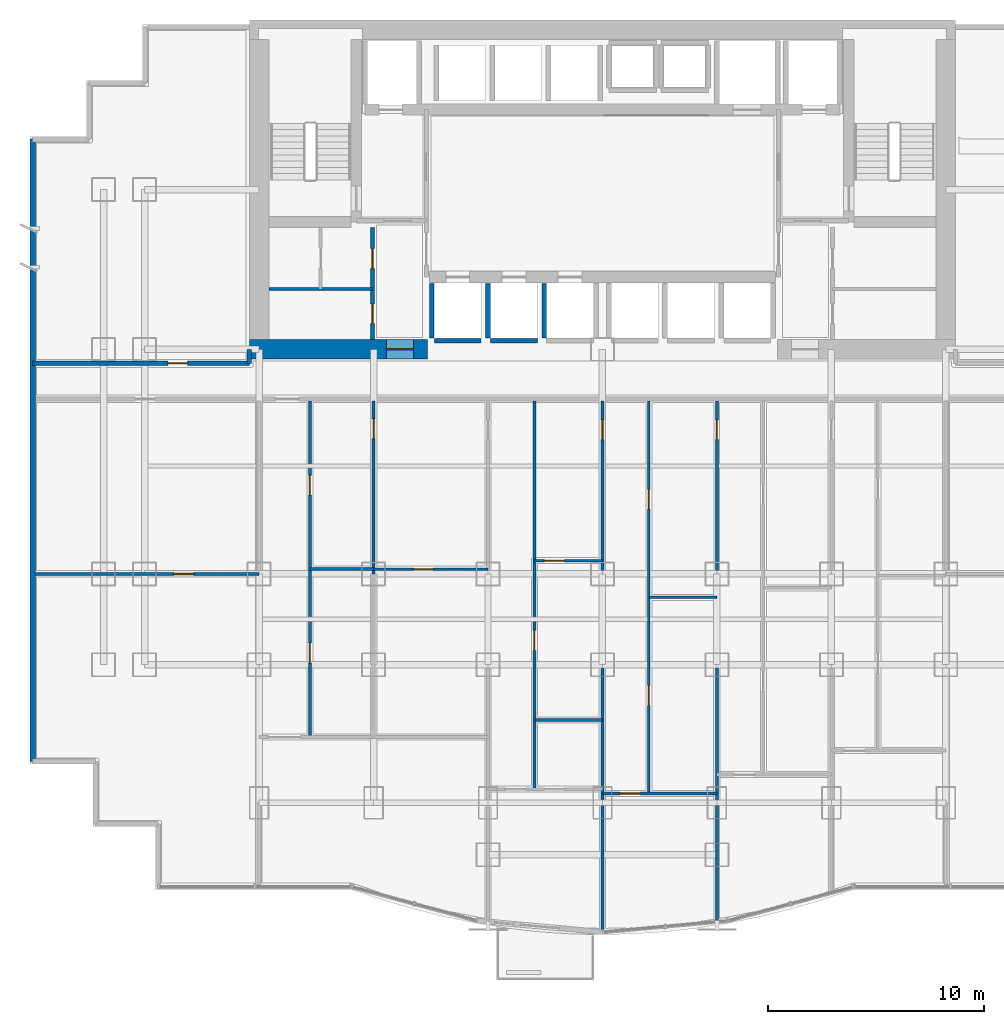
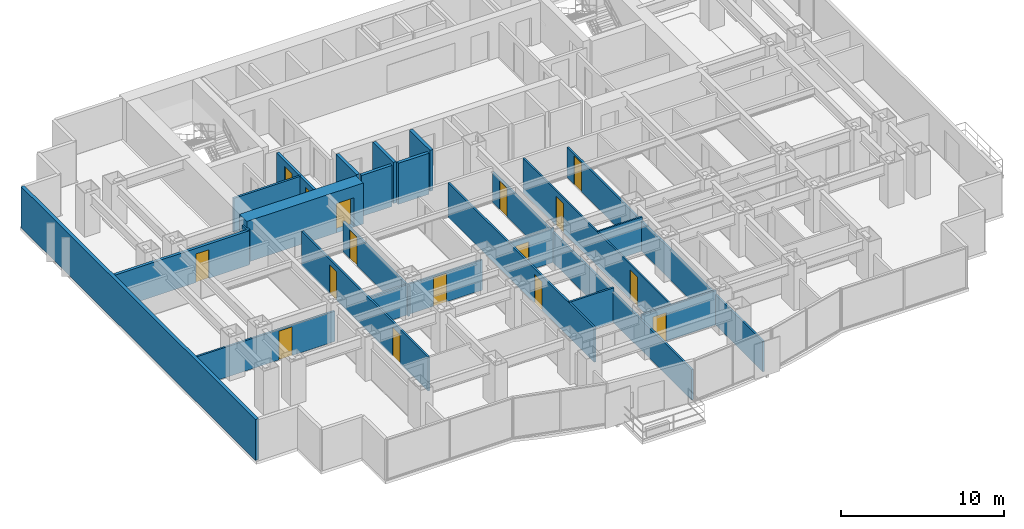
# One storey, part 5 of 10: 24 walls, 16 doors, 16 openings.
"""IFC4 building model written with IfcOpenShell, lengths in metres."""

from ifc_helpers import new_model, si_unit, direction, frame, frame_2d, origin, place, context, subcontext, project, spatial, rectangle, extrude, material, layer, layer_set, type_object, element, fill, save


model = new_model("IFC4")

# Units and contexts
model_context = context("Model", 3, precision=1e-05, world=origin(), true_north=direction((0.0, 1.0)))
body_context = subcontext(model_context, "Body", "Model", "MODEL_VIEW")
ifc_project = project(units=[si_unit("LENGTHUNIT", "METRE"), si_unit("AREAUNIT", "SQUARE_METRE"), si_unit("VOLUMEUNIT", "CUBIC_METRE"), si_unit("PLANEANGLEUNIT", "RADIAN"), si_unit("MASSUNIT", "GRAM", prefix="KILO")], contexts=[model_context])

# Site, building, storey
site_placement = place(None, origin())
site = spatial("IfcSite", under=ifc_project, at=site_placement, CompositionType="ELEMENT")
building_placement = place(site_placement, origin())
building = spatial("IfcBuilding", under=site, at=building_placement, Name="Qianlan Lanfeng Residences", CompositionType="ELEMENT")
storey_placement = place(building_placement, frame((0.0, 0.0, 53.89990234375)))
storey = spatial("IfcBuildingStorey", under=building, at=storey_placement, Name="L14", CompositionType="ELEMENT", Elevation=53.89990234375)

# Wall, opening, door
ifc_material_1 = material(Name="Concrete C70", Category="concrete")
ifc_layer_1 = layer(ifc_material_1, 0.89990234375)
ifc_layer_set_1 = layer_set([ifc_layer_1], Name="Concrete C70")
wall_type_1 = type_object("IfcWallType", Name="CW-RC-900", PredefinedType="SHEAR", material=ifc_layer_set_1)
wall_1_placement = place(storey_placement, frame((10.14990234375, 25.199951171875, 0.0), z_axis=(0.0, 0.0, 1.0), x_axis=(1.0, 0.0, 0.0)))
wall_1 = element("IfcWall", 1, at=wall_1_placement, inside=storey, type_object=wall_type_1, Name="L14 Core Shear Wall SW", PredefinedType="SHEAR", context=body_context, shape_type="SweptSolid", body=[
    extrude(rectangle(XDim=8.25, YDim=0.89990234375, at=frame_2d((4.125, 0.0))), origin(), (0.0, 0.0, 1.0), 3.080078125),
])
opening_1_placement = place(wall_1_placement, frame((6.35009765625, 0.0, 0.0)))
opening_1 = element("IfcOpeningElement", 2, at=opening_1_placement, cuts=wall_1, Name="Opening L14-D01", PredefinedType="OPENING", context=body_context, shape_type="SweptSolid", body=[
    extrude(rectangle(XDim=1.25, YDim=2.199951171875, at=frame_2d((0.625, 1.10009765625))), frame((0.0, 0.4599609375, 0.0), z_axis=(0.0, -1.0, 0.0), x_axis=(1.0, 0.0, 0.0)), (0.0, 0.0, 1.0), 0.919921875),
])
ifc_material_2 = material(Name="Painted Galvanised Steel Fire Door", Category="steel")
door_type_1 = type_object("IfcDoorType", Name="DT-FFL", OperationType="NOTDEFINED", PredefinedType="DOOR", material=ifc_material_2)
door_1_placement = place(opening_1_placement, frame((1.25, 0.0, 0.0), z_axis=(0.0, 0.0, 1.0), x_axis=(-1.0, 0.0, 0.0)))
door_1 = element("IfcDoor", 3, at=door_1_placement, inside=storey, type_object=door_type_1, Name="L14 West Core Lobby Smoke Door L14-D01 (DT-FFL)", OperationType="SINGLE_SWING_RIGHT", OverallHeight=2.199951171875, OverallWidth=1.25, PredefinedType="DOOR", context=body_context, shape_type="SweptSolid", body=[
    extrude(rectangle(XDim=1.25, YDim=2.199951171875, at=frame_2d((0.625, 1.10009765625))), frame((0.0, 0.02490234375, 0.0), z_axis=(0.0, -1.0, 0.0), x_axis=(1.0, 0.0, 0.0)), (0.0, 0.0, 1.0), 0.050048828125),
])
fill(opening_1, door_1)

# Wall
ifc_material_3 = material(Name="Concrete C42", Category="concrete")
ifc_layer_2 = layer(ifc_material_3, 0.239990234375)
ifc_layer_set_2 = layer_set([ifc_layer_2], Name="Concrete C42")
wall_type_2 = type_object("IfcWallType", Name="EW-240", PredefinedType="SOLIDWALL", material=ifc_layer_set_2)
wall_2_placement = place(storey_placement, frame((0.1201171875, 34.929931640625, 0.0), z_axis=(0.0, 0.0, 1.0), x_axis=(0.0, -1.0, 0.0)))
element("IfcWall", 4, at=wall_2_placement, inside=storey, type_object=wall_type_2, Name="L14 Exterior Facade Spandrel Wall 21", PredefinedType="SOLIDWALL", context=body_context, shape_type="SweptSolid", body=[
    extrude(rectangle(XDim=28.809814453125, YDim=0.239990234375, at=frame_2d((14.40478515625, 0.0))), origin(), (0.0, 0.0, 1.0), 3.080078125),
])

# Wall, opening, door
ifc_material_4 = material(Name="Demountable Acoustic Framing Partition 110 mm")
ifc_layer_3 = layer(ifc_material_4, 0.110107421875)
ifc_layer_set_3 = layer_set([ifc_layer_3], Name="Demountable Acoustic Framing Partition 110 mm")
wall_type_3 = type_object("IfcWallType", Name="PW-110", PredefinedType="MOVABLE", material=ifc_layer_set_3)
wall_3_placement = place(storey_placement, frame((15.89990234375, 15.02392578125, 0.0), z_axis=(0.0, 0.0, 1.0), x_axis=(1.0, 0.0, 0.0)))
wall_3 = element("IfcWall", 5, at=wall_3_placement, inside=storey, type_object=wall_type_3, Name="L14 U01 Study Split", PredefinedType="MOVABLE", context=body_context, shape_type="SweptSolid", body=[
    extrude(rectangle(XDim=5.300048828125, YDim=0.110107421875, at=frame_2d((2.64990234375, 0.0))), origin(), (0.0, 0.0, 1.0), 2.275146484375),
])
opening_2_placement = place(wall_3_placement, frame((1.840087890625, 0.0, 0.0)))
opening_2 = element("IfcOpeningElement", 6, at=opening_2_placement, cuts=wall_3, Name="Opening L14-D25", PredefinedType="OPENING", context=body_context, shape_type="SweptSolid", body=[
    extrude(rectangle(XDim=0.919921875, YDim=2.14990234375, at=frame_2d((0.4599609375, 1.074951171875))), frame((0.0, 0.06494140625, 0.0), z_axis=(0.0, -1.0, 0.0), x_axis=(1.0, 0.0, 0.0)), (0.0, 0.0, 1.0), 0.130126953125),
])
ifc_material_5 = material(Name="Glazed Timber Kitchen/Study Door", Category="wood")
door_type_2 = type_object("IfcDoorType", Name="DT-INT", OperationType="NOTDEFINED", PredefinedType="DOOR", material=ifc_material_5)
door_2_placement = place(opening_2_placement, origin())
door_2 = element("IfcDoor", 7, at=door_2_placement, inside=storey, type_object=door_type_2, Name="L14 U01 Study Inner Door L14-D25 (DT-INT)", OperationType="SINGLE_SWING_RIGHT", OverallHeight=2.14990234375, OverallWidth=0.919921875, PredefinedType="DOOR", context=body_context, shape_type="SweptSolid", body=[
    extrude(rectangle(XDim=0.919921875, YDim=2.14990234375, at=frame_2d((0.4599609375, 1.074951171875))), frame((0.0, 0.02490234375, 0.0), z_axis=(0.0, -1.0, 0.0), x_axis=(1.0, 0.0, 0.0)), (0.0, 0.0, 1.0), 0.050048828125),
])
fill(opening_2, door_2)

wall_4_placement = place(storey_placement, frame((23.35009765625, 15.4169921875, 0.0), z_axis=(0.0, 0.0, 1.0), x_axis=(1.0, 0.0, 0.0)))
wall_4 = element("IfcWall", 8, at=wall_4_placement, inside=storey, type_object=wall_type_3, Name="L14 U01 Wardrobe Split", PredefinedType="MOVABLE", context=body_context, shape_type="SweptSolid", body=[
    extrude(rectangle(XDim=3.14990234375, YDim=0.110107421875, at=frame_2d((1.574951171875, 0.0))), origin(), (0.0, 0.0, 1.0), 2.570068359375),
])
opening_3_placement = place(wall_4_placement, frame((0.465087890625, 0.0, 0.0)))
opening_3 = element("IfcOpeningElement", 9, at=opening_3_placement, cuts=wall_4, Name="Opening L14-D29", PredefinedType="OPENING", context=body_context, shape_type="SweptSolid", body=[
    extrude(rectangle(XDim=0.919921875, YDim=2.14990234375, at=frame_2d((0.4599609375, 1.074951171875))), frame((0.0, 0.06494140625, 0.0), z_axis=(0.0, -1.0, 0.0), x_axis=(1.0, 0.0, 0.0)), (0.0, 0.0, 1.0), 0.130126953125),
])
door_3_placement = place(opening_3_placement, origin())
door_3 = element("IfcDoor", 10, at=door_3_placement, inside=storey, type_object=door_type_2, Name="L14 U01 Dressing Inner Door L14-D29 (DT-INT)", OperationType="SINGLE_SWING_RIGHT", OverallHeight=2.14990234375, OverallWidth=0.919921875, PredefinedType="DOOR", context=body_context, shape_type="SweptSolid", body=[
    extrude(rectangle(XDim=0.919921875, YDim=2.14990234375, at=frame_2d((0.4599609375, 1.074951171875))), frame((0.0, 0.02490234375, 0.0), z_axis=(0.0, -1.0, 0.0), x_axis=(1.0, 0.0, 0.0)), (0.0, 0.0, 1.0), 0.050048828125),
])
fill(opening_3, door_3)

# Wall, openings, doors
wall_5_placement = place(storey_placement, frame((28.64990234375, 4.634033203125, 0.0), z_axis=(0.0, 0.0, 1.0), x_axis=(0.0, 1.0, 0.0)))
wall_5 = element("IfcWall", 11, at=wall_5_placement, inside=storey, type_object=wall_type_3, Name="L14 U01 Bedroom 3 Hall Wall", PredefinedType="MOVABLE", context=body_context, shape_type="SweptSolid", body=[
    extrude(rectangle(XDim=18.166015625, YDim=0.110107421875, at=frame_2d((9.0830078125, 0.0))), origin(), (0.0, 0.0, 1.0), 2.570068359375),
])
opening_4_placement = place(wall_5_placement, frame((4.08203125, 0.0, 0.0)))
opening_4 = element("IfcOpeningElement", 12, at=opening_4_placement, cuts=wall_5, Name="Opening L14-D31", PredefinedType="OPENING", context=body_context, shape_type="SweptSolid", body=[
    extrude(rectangle(XDim=0.919921875, YDim=2.14990234375, at=frame_2d((0.4599609375, 1.074951171875))), frame((0.0, 0.06494140625, 0.0), z_axis=(0.0, -1.0, 0.0), x_axis=(1.0, 0.0, 0.0)), (0.0, 0.0, 1.0), 0.130126953125),
])
opening_5_placement = place(wall_5_placement, frame((13.1650390625, 0.0, 0.0)))
opening_5 = element("IfcOpeningElement", 13, at=opening_5_placement, cuts=wall_5, Name="Opening L14-D32", PredefinedType="OPENING", context=body_context, shape_type="SweptSolid", body=[
    extrude(rectangle(XDim=0.919921875, YDim=2.14990234375, at=frame_2d((0.4599609375, 1.074951171875))), frame((0.0, 0.06494140625, 0.0), z_axis=(0.0, -1.0, 0.0), x_axis=(1.0, 0.0, 0.0)), (0.0, 0.0, 1.0), 0.130126953125),
])
door_4_placement = place(opening_4_placement, origin())
door_4 = element("IfcDoor", 14, at=door_4_placement, inside=storey, type_object=door_type_2, Name="L14 U01 Utility Door L14-D31 (DT-INT)", OperationType="SINGLE_SWING_RIGHT", OverallHeight=2.14990234375, OverallWidth=0.919921875, PredefinedType="DOOR", context=body_context, shape_type="SweptSolid", body=[
    extrude(rectangle(XDim=0.919921875, YDim=2.14990234375, at=frame_2d((0.4599609375, 1.074951171875))), frame((0.0, 0.02490234375, 0.0), z_axis=(0.0, -1.0, 0.0), x_axis=(1.0, 0.0, 0.0)), (0.0, 0.0, 1.0), 0.050048828125),
])
fill(opening_4, door_4)
door_5_placement = place(opening_5_placement, origin())
door_5 = element("IfcDoor", 15, at=door_5_placement, inside=storey, type_object=door_type_2, Name="L14 U01 Specialty Door L14-D32 (DT-INT)", OperationType="SINGLE_SWING_LEFT", OverallHeight=2.14990234375, OverallWidth=0.919921875, PredefinedType="DOOR", context=body_context, shape_type="SweptSolid", body=[
    extrude(rectangle(XDim=0.919921875, YDim=2.14990234375, at=frame_2d((0.4599609375, 1.074951171875))), frame((0.0, 0.02490234375, 0.0), z_axis=(0.0, -1.0, 0.0), x_axis=(1.0, 0.0, 0.0)), (0.0, 0.0, 1.0), 0.050048828125),
])
fill(opening_5, door_5)

# Wall
wall_6_placement = place(storey_placement, frame((28.64990234375, 13.717041015625, 0.0), z_axis=(0.0, 0.0, 1.0), x_axis=(1.0, 0.0, 0.0)))
element("IfcWall", 16, at=wall_6_placement, inside=storey, type_object=wall_type_3, Name="L14 U01 Specialty Split Wall", PredefinedType="MOVABLE", context=body_context, shape_type="SweptSolid", body=[
    extrude(rectangle(XDim=3.150146484375, YDim=0.110107421875, at=frame_2d((1.5751953125, 0.0))), origin(), (0.0, 0.0, 1.0), 2.570068359375),
])

# Wall, opening, door
ifc_material_6 = material(Name="Moisture-Resistant Gypsum Partition 135 mm")
ifc_layer_4 = layer(ifc_material_6, 0.135009765625)
ifc_layer_set_4 = layer_set([ifc_layer_4], Name="Moisture-Resistant Gypsum Partition 135 mm")
wall_type_4 = type_object("IfcWallType", Name="PW-135", PredefinedType="PARTITIONING", material=ifc_layer_set_4)
wall_7_placement = place(storey_placement, frame((15.89990234375, 14.800048828125, 0.0), z_axis=(0.0, 0.0, 1.0), x_axis=(0.0, 1.0, 0.0)))
wall_7 = element("IfcWall", 17, at=wall_7_placement, inside=storey, type_object=wall_type_4, Name="L14 U01 North Spine Wall", PredefinedType="PARTITIONING", context=body_context, shape_type="SweptSolid", body=[
    extrude(rectangle(XDim=8.0, YDim=0.135009765625, at=frame_2d((4.0, 0.0))), origin(), (0.0, 0.0, 1.0), 2.275146484375),
])
opening_6_placement = place(wall_7_placement, frame((6.264892578125, 0.0, 0.0)))
opening_6 = element("IfcOpeningElement", 18, at=opening_6_placement, cuts=wall_7, Name="Opening L14-D17", PredefinedType="OPENING", context=body_context, shape_type="SweptSolid", body=[
    extrude(rectangle(XDim=0.919921875, YDim=2.14990234375, at=frame_2d((0.4599609375, 1.074951171875))), frame((0.0, 0.07763671875, 0.0), z_axis=(0.0, -1.0, 0.0), x_axis=(1.0, 0.0, 0.0)), (0.0, 0.0, 1.0), 0.155029296875),
])
door_6_placement = place(opening_6_placement, origin())
door_6 = element("IfcDoor", 19, at=door_6_placement, inside=storey, type_object=door_type_2, Name="L14 U01 North Suite Door L14-D17 (DT-INT)", OperationType="SINGLE_SWING_RIGHT", OverallHeight=2.14990234375, OverallWidth=0.919921875, PredefinedType="DOOR", context=body_context, shape_type="SweptSolid", body=[
    extrude(rectangle(XDim=0.919921875, YDim=2.14990234375, at=frame_2d((0.4599609375, 1.074951171875))), frame((0.0, 0.02490234375, 0.0), z_axis=(0.0, -1.0, 0.0), x_axis=(1.0, 0.0, 0.0)), (0.0, 0.0, 1.0), 0.050048828125),
])
fill(opening_6, door_6)

wall_8_placement = place(storey_placement, frame((26.5, -1.679931640625, 0.0), z_axis=(0.0, 0.0, 1.0), x_axis=(0.0, 1.0, 0.0)))
wall_8 = element("IfcWall", 20, at=wall_8_placement, inside=storey, type_object=wall_type_4, Name="L14 U01 Bay Spine Wall 3", PredefinedType="PARTITIONING", context=body_context, shape_type="SweptSolid", body=[
    extrude(rectangle(XDim=24.47998046875, YDim=0.135009765625, at=frame_2d((12.239990234375, 0.0))), origin(), (0.0, 0.0, 1.0), 2.275146484375),
])
opening_7_placement = place(wall_8_placement, frame((22.695068359375, 0.0, 0.0)))
opening_7 = element("IfcOpeningElement", 21, at=opening_7_placement, cuts=wall_8, Name="Opening L14-D19", PredefinedType="OPENING", context=body_context, shape_type="SweptSolid", body=[
    extrude(rectangle(XDim=0.919921875, YDim=2.14990234375, at=frame_2d((0.4599609375, 1.074951171875))), frame((0.0, 0.07763671875, 0.0), z_axis=(0.0, -1.0, 0.0), x_axis=(1.0, 0.0, 0.0)), (0.0, 0.0, 1.0), 0.155029296875),
])
door_7_placement = place(opening_7_placement, origin())
door_7 = element("IfcDoor", 22, at=door_7_placement, inside=storey, type_object=door_type_2, Name="L14 U01 Internal Hall Door L14-D19 (DT-INT)", OperationType="SINGLE_SWING_RIGHT", OverallHeight=2.14990234375, OverallWidth=0.919921875, PredefinedType="DOOR", context=body_context, shape_type="SweptSolid", body=[
    extrude(rectangle(XDim=0.919921875, YDim=2.14990234375, at=frame_2d((0.4599609375, 1.074951171875))), frame((0.0, 0.02490234375, 0.0), z_axis=(0.0, -1.0, 0.0), x_axis=(1.0, 0.0, 0.0)), (0.0, 0.0, 1.0), 0.050048828125),
])
fill(opening_7, door_7)

wall_9_placement = place(storey_placement, frame((31.800048828125, -1.235107421875, 0.0), z_axis=(0.0, 0.0, 1.0), x_axis=(0.0, 1.0, 0.0)))
wall_9 = element("IfcWall", 23, at=wall_9_placement, inside=storey, type_object=wall_type_4, Name="L14 U01 Bay Spine Wall 4", PredefinedType="PARTITIONING", context=body_context, shape_type="SweptSolid", body=[
    extrude(rectangle(XDim=24.03515625, YDim=0.135009765625, at=frame_2d((12.017578125, 0.0))), origin(), (0.0, 0.0, 1.0), 2.275146484375),
])
opening_8_placement = place(wall_9_placement, frame((22.25, 0.0, 0.0)))
opening_8 = element("IfcOpeningElement", 24, at=opening_8_placement, cuts=wall_9, Name="Opening L14-D20", PredefinedType="OPENING", context=body_context, shape_type="SweptSolid", body=[
    extrude(rectangle(XDim=0.919921875, YDim=2.14990234375, at=frame_2d((0.4599609375, 1.074951171875))), frame((0.0, 0.07763671875, 0.0), z_axis=(0.0, -1.0, 0.0), x_axis=(1.0, 0.0, 0.0)), (0.0, 0.0, 1.0), 0.155029296875),
])
door_8_placement = place(opening_8_placement, origin())
door_8 = element("IfcDoor", 25, at=door_8_placement, inside=storey, type_object=door_type_2, Name="L14 U01 Internal Hall Door L14-D20 (DT-INT)", OperationType="SINGLE_SWING_LEFT", OverallHeight=2.14990234375, OverallWidth=0.919921875, PredefinedType="DOOR", context=body_context, shape_type="SweptSolid", body=[
    extrude(rectangle(XDim=0.919921875, YDim=2.14990234375, at=frame_2d((0.4599609375, 1.074951171875))), frame((0.0, 0.02490234375, 0.0), z_axis=(0.0, -1.0, 0.0), x_axis=(1.0, 0.0, 0.0)), (0.0, 0.0, 1.0), 0.050048828125),
])
fill(opening_8, door_8)

# Wall, openings, doors
wall_10_placement = place(storey_placement, frame((12.949951171875, 7.2470703125, 0.0), z_axis=(0.0, 0.0, 1.0), x_axis=(0.0, 1.0, 0.0)))
wall_10 = element("IfcWall", 26, at=wall_10_placement, inside=storey, type_object=wall_type_4, Name="L14 U01 Kitchen/Bath Wall", PredefinedType="PARTITIONING", context=body_context, shape_type="SweptSolid", body=[
    extrude(rectangle(XDim=15.552978515625, YDim=0.135009765625, at=frame_2d((7.7763671875, 0.0))), origin(), (0.0, 0.0, 1.0), 2.570068359375),
])
opening_9_placement = place(wall_10_placement, frame((3.428955078125, 0.0, 0.0)))
opening_9 = element("IfcOpeningElement", 27, at=opening_9_placement, cuts=wall_10, Name="Opening L14-D23", PredefinedType="OPENING", context=body_context, shape_type="SweptSolid", body=[
    extrude(rectangle(XDim=0.919921875, YDim=2.14990234375, at=frame_2d((0.4599609375, 1.074951171875))), frame((0.0, 0.07763671875, 0.0), z_axis=(0.0, -1.0, 0.0), x_axis=(1.0, 0.0, 0.0)), (0.0, 0.0, 1.0), 0.155029296875),
])
opening_10_placement = place(wall_10_placement, frame((11.215087890625, 0.0, 0.0)))
opening_10 = element("IfcOpeningElement", 28, at=opening_10_placement, cuts=wall_10, Name="Opening L14-D24", PredefinedType="OPENING", context=body_context, shape_type="SweptSolid", body=[
    extrude(rectangle(XDim=0.89990234375, YDim=2.14990234375, at=frame_2d((0.449951171875, 1.074951171875))), frame((0.0, 0.07763671875, 0.0), z_axis=(0.0, -1.0, 0.0), x_axis=(1.0, 0.0, 0.0)), (0.0, 0.0, 1.0), 0.155029296875),
])
door_9_placement = place(opening_9_placement, origin())
door_9 = element("IfcDoor", 29, at=door_9_placement, inside=storey, type_object=door_type_2, Name="L14 U01 Kitchen Door L14-D23 (DT-INT)", OperationType="SINGLE_SWING_RIGHT", OverallHeight=2.14990234375, OverallWidth=0.919921875, PredefinedType="DOOR", context=body_context, shape_type="SweptSolid", body=[
    extrude(rectangle(XDim=0.919921875, YDim=2.14990234375, at=frame_2d((0.4599609375, 1.074951171875))), frame((0.0, 0.02490234375, 0.0), z_axis=(0.0, -1.0, 0.0), x_axis=(1.0, 0.0, 0.0)), (0.0, 0.0, 1.0), 0.050048828125),
])
fill(opening_9, door_9)
ifc_material_7 = material(Name="Moisture-Resistant Timber Leaf", Category="wood")
door_type_3 = type_object("IfcDoorType", Name="DT-WC", OperationType="NOTDEFINED", PredefinedType="DOOR", material=ifc_material_7)
door_10_placement = place(opening_10_placement, origin())
door_10 = element("IfcDoor", 30, at=door_10_placement, inside=storey, type_object=door_type_3, Name="L14 U01 Bathroom Door L14-D24 (DT-WC)", OperationType="SINGLE_SWING_LEFT", OverallHeight=2.14990234375, OverallWidth=0.89990234375, PredefinedType="DOOR", context=body_context, shape_type="SweptSolid", body=[
    extrude(rectangle(XDim=0.89990234375, YDim=2.14990234375, at=frame_2d((0.449951171875, 1.074951171875))), frame((0.0, 0.02490234375, 0.0), z_axis=(0.0, -1.0, 0.0), x_axis=(1.0, 0.0, 0.0)), (0.0, 0.0, 1.0), 0.050048828125),
])
fill(opening_10, door_10)

# Wall
wall_11_placement = place(storey_placement, frame((12.949951171875, 15.02392578125, 0.0), z_axis=(0.0, 0.0, 1.0), x_axis=(1.0, 0.0, 0.0)))
element("IfcWall", 31, at=wall_11_placement, inside=storey, type_object=wall_type_4, Name="L14 U01 Bath Split Wall", PredefinedType="PARTITIONING", context=body_context, shape_type="SweptSolid", body=[
    extrude(rectangle(XDim=2.949951171875, YDim=0.135009765625, at=frame_2d((1.47509765625, 0.0))), origin(), (0.0, 0.0, 1.0), 2.275146484375),
])

# Wall, opening, door
wall_12_placement = place(storey_placement, frame((23.35009765625, 4.833984375, 0.0), z_axis=(0.0, 0.0, 1.0), x_axis=(0.0, 1.0, 0.0)))
wall_12 = element("IfcWall", 32, at=wall_12_placement, inside=storey, type_object=wall_type_4, Name="L14 U01 Master Passage Wall", PredefinedType="PARTITIONING", context=body_context, shape_type="SweptSolid", body=[
    extrude(rectangle(XDim=17.966064453125, YDim=0.135009765625, at=frame_2d((8.98291015625, 0.0))), origin(), (0.0, 0.0, 1.0), 2.570068359375),
])
opening_11_placement = place(wall_12_placement, frame((6.430908203125, 0.0, 0.0)))
opening_11 = element("IfcOpeningElement", 33, at=opening_11_placement, cuts=wall_12, Name="Opening L14-D28", PredefinedType="OPENING", context=body_context, shape_type="SweptSolid", body=[
    extrude(rectangle(XDim=0.919921875, YDim=2.14990234375, at=frame_2d((0.4599609375, 1.074951171875))), frame((0.0, 0.07763671875, 0.0), z_axis=(0.0, -1.0, 0.0), x_axis=(1.0, 0.0, 0.0)), (0.0, 0.0, 1.0), 0.155029296875),
])
door_11_placement = place(opening_11_placement, origin())
door_11 = element("IfcDoor", 34, at=door_11_placement, inside=storey, type_object=door_type_2, Name="L14 U01 Wardrobe Door L14-D28 (DT-INT)", OperationType="SINGLE_SWING_LEFT", OverallHeight=2.14990234375, OverallWidth=0.919921875, PredefinedType="DOOR", context=body_context, shape_type="SweptSolid", body=[
    extrude(rectangle(XDim=0.919921875, YDim=2.14990234375, at=frame_2d((0.4599609375, 1.074951171875))), frame((0.0, 0.02490234375, 0.0), z_axis=(0.0, -1.0, 0.0), x_axis=(1.0, 0.0, 0.0)), (0.0, 0.0, 1.0), 0.050048828125),
])
fill(opening_11, door_11)

# Wall
wall_13_placement = place(storey_placement, frame((23.35009765625, 8.033935546875, 0.0), z_axis=(0.0, 0.0, 1.0), x_axis=(1.0, 0.0, 0.0)))
element("IfcWall", 35, at=wall_13_placement, inside=storey, type_object=wall_type_4, Name="L14 U01 En-Suite North Wall", PredefinedType="PARTITIONING", context=body_context, shape_type="SweptSolid", body=[
    extrude(rectangle(XDim=3.14990234375, YDim=0.135009765625, at=frame_2d((1.574951171875, 0.0))), origin(), (0.0, 0.0, 1.0), 2.570068359375),
])

# Wall, opening, door
wall_14_placement = place(storey_placement, frame((26.5, 4.634033203125, 0.0), z_axis=(0.0, 0.0, 1.0), x_axis=(1.0, 0.0, 0.0)))
wall_14 = element("IfcWall", 36, at=wall_14_placement, inside=storey, type_object=wall_type_4, Name="L14 U01 Bedroom 3 North Wall", PredefinedType="PARTITIONING", context=body_context, shape_type="SweptSolid", body=[
    extrude(rectangle(XDim=5.300048828125, YDim=0.135009765625, at=frame_2d((2.64990234375, 0.0))), origin(), (0.0, 0.0, 1.0), 2.570068359375),
])
opening_12_placement = place(wall_14_placement, frame((0.800048828125, 0.0, 0.0)))
opening_12 = element("IfcOpeningElement", 37, at=opening_12_placement, cuts=wall_14, Name="Opening L14-D30", PredefinedType="OPENING", context=body_context, shape_type="SweptSolid", body=[
    extrude(rectangle(XDim=0.949951171875, YDim=2.14990234375, at=frame_2d((0.47509765625, 1.074951171875))), frame((0.0, 0.07763671875, 0.0), z_axis=(0.0, -1.0, 0.0), x_axis=(1.0, 0.0, 0.0)), (0.0, 0.0, 1.0), 0.155029296875),
])
ifc_material_8 = material(Name="Painted Solid-Core Timber Leaf", Category="wood")
door_type_4 = type_object("IfcDoorType", Name="DT-BED", OperationType="NOTDEFINED", PredefinedType="DOOR", material=ifc_material_8)
door_12_placement = place(opening_12_placement, origin())
door_12 = element("IfcDoor", 38, at=door_12_placement, inside=storey, type_object=door_type_4, Name="L14 U01 Bedroom 3 Door L14-D30 (DT-BED)", OperationType="SINGLE_SWING_RIGHT", OverallHeight=2.14990234375, OverallWidth=0.949951171875, PredefinedType="DOOR", context=body_context, shape_type="SweptSolid", body=[
    extrude(rectangle(XDim=0.949951171875, YDim=2.14990234375, at=frame_2d((0.47509765625, 1.074951171875))), frame((0.0, 0.02490234375, 0.0), z_axis=(0.0, -1.0, 0.0), x_axis=(1.0, 0.0, 0.0)), (0.0, 0.0, 1.0), 0.050048828125),
])
fill(opening_12, door_12)

wall_15_placement = place(storey_placement, frame((0.219970703125, 14.800048828125, 0.0), z_axis=(0.0, 0.0, 1.0), x_axis=(1.0, 0.0, 0.0)))
wall_15 = element("IfcWall", 39, at=wall_15_placement, inside=storey, type_object=wall_type_4, Name="L14 SWP Mid Partition", PredefinedType="PARTITIONING", context=body_context, shape_type="SweptSolid", body=[
    extrude(rectangle(XDim=10.380126953125, YDim=0.135009765625, at=frame_2d((5.18994140625, 0.0))), origin(), (0.0, 0.0, 1.0), 2.275146484375),
])
opening_13_placement = place(wall_15_placement, frame((6.429931640625, 0.0, 0.0)))
opening_13 = element("IfcOpeningElement", 40, at=opening_13_placement, cuts=wall_15, Name="Opening L14-D39", PredefinedType="OPENING", context=body_context, shape_type="SweptSolid", body=[
    extrude(rectangle(XDim=0.919921875, YDim=2.14990234375, at=frame_2d((0.4599609375, 1.074951171875))), frame((0.0, 0.07763671875, 0.0), z_axis=(0.0, -1.0, 0.0), x_axis=(1.0, 0.0, 0.0)), (0.0, 0.0, 1.0), 0.155029296875),
])
door_13_placement = place(opening_13_placement, origin())
door_13 = element("IfcDoor", 41, at=door_13_placement, inside=storey, type_object=door_type_2, Name="L14 SWP Inner Door L14-D39 (DT-INT)", OperationType="SINGLE_SWING_RIGHT", OverallHeight=2.14990234375, OverallWidth=0.919921875, PredefinedType="DOOR", context=body_context, shape_type="SweptSolid", body=[
    extrude(rectangle(XDim=0.919921875, YDim=2.14990234375, at=frame_2d((0.4599609375, 1.074951171875))), frame((0.0, 0.02490234375, 0.0), z_axis=(0.0, -1.0, 0.0), x_axis=(1.0, 0.0, 0.0)), (0.0, 0.0, 1.0), 0.050048828125),
])
fill(opening_13, door_13)

# Wall
ifc_material_9 = material(Name="Acoustic Drywall Partition 150 mm")
ifc_layer_5 = layer(ifc_material_9, 0.14990234375)
ifc_layer_set_5 = layer_set([ifc_layer_5], Name="Acoustic Drywall Partition 150 mm")
wall_type_5 = type_object("IfcWallType", Name="PW-150", PredefinedType="PARTITIONING", material=ifc_layer_set_5)
wall_16_placement = place(storey_placement, frame((11.050048828125, 28.0, 0.0), z_axis=(0.0, 0.0, 1.0), x_axis=(1.0, 0.0, 0.0)))
element("IfcWall", 42, at=wall_16_placement, inside=storey, type_object=wall_type_5, Name="L14 Core West H4", PredefinedType="PARTITIONING", context=body_context, shape_type="SweptSolid", body=[
    extrude(rectangle(XDim=4.800048828125, YDim=0.14990234375, at=frame_2d((2.39990234375, 0.0))), origin(), (0.0, 0.0, 1.0), 2.570068359375),
])

# Wall, openings, doors
ifc_material_10 = material(Name="Double-Layer Acoustic Gypsum Stud Wall 180 mm")
ifc_layer_6 = layer(ifc_material_10, 0.179931640625)
ifc_layer_set_6 = layer_set([ifc_layer_6], Name="Double-Layer Acoustic Gypsum Stud Wall 180 mm")
wall_type_6 = type_object("IfcWallType", Name="PW-180", PredefinedType="PARTITIONING", material=ifc_layer_set_6)
wall_17_placement = place(storey_placement, frame((15.85009765625, 25.64990234375, 0.0), z_axis=(0.0, 0.0, 1.0), x_axis=(0.0, 1.0, 0.0)))
wall_17 = element("IfcWall", 43, at=wall_17_placement, inside=storey, type_object=wall_type_6, Name="L14 Core West Service Room Wall", PredefinedType="PARTITIONING", context=body_context, shape_type="SweptSolid", body=[
    extrude(rectangle(XDim=5.2001953125, YDim=0.179931640625, at=frame_2d((2.60009765625, 0.0))), origin(), (0.0, 0.0, 1.0), 2.570068359375),
])
opening_14_placement = place(wall_17_placement, frame((0.75, 0.0, 0.0)))
opening_14 = element("IfcOpeningElement", 44, at=opening_14_placement, cuts=wall_17, Name="Opening L14-D09", PredefinedType="OPENING", context=body_context, shape_type="SweptSolid", body=[
    extrude(rectangle(XDim=0.89990234375, YDim=2.14990234375, at=frame_2d((0.449951171875, 1.074951171875))), frame((0.0, 0.10009765625, 0.0), z_axis=(0.0, -1.0, 0.0), x_axis=(1.0, 0.0, 0.0)), (0.0, 0.0, 1.0), 0.199951171875),
])
opening_15_placement = place(wall_17_placement, frame((3.2900390625, 0.0, 0.0)))
opening_15 = element("IfcOpeningElement", 45, at=opening_15_placement, cuts=wall_17, Name="Opening L14-D10", PredefinedType="OPENING", context=body_context, shape_type="SweptSolid", body=[
    extrude(rectangle(XDim=0.919921875, YDim=2.14990234375, at=frame_2d((0.4599609375, 1.074951171875))), frame((0.0, 0.10009765625, 0.0), z_axis=(0.0, -1.0, 0.0), x_axis=(1.0, 0.0, 0.0)), (0.0, 0.0, 1.0), 0.199951171875),
])
door_14_placement = place(opening_15_placement, origin())
door_14 = element("IfcDoor", 46, at=door_14_placement, inside=storey, type_object=door_type_2, Name="L14 Janitor Hall Door L14-D10 (DT-INT)", OperationType="SINGLE_SWING_LEFT", OverallHeight=2.14990234375, OverallWidth=0.919921875, PredefinedType="DOOR", context=body_context, shape_type="SweptSolid", body=[
    extrude(rectangle(XDim=0.919921875, YDim=2.14990234375, at=frame_2d((0.4599609375, 1.074951171875))), frame((0.0, 0.02490234375, 0.0), z_axis=(0.0, -1.0, 0.0), x_axis=(1.0, 0.0, 0.0)), (0.0, 0.0, 1.0), 0.050048828125),
])
fill(opening_15, door_14)
door_15_placement = place(opening_14_placement, origin())
door_15 = element("IfcDoor", 47, at=door_15_placement, inside=storey, type_object=door_type_3, Name="L14 Staff WC Door L14-D09 (DT-WC)", OperationType="SINGLE_SWING_LEFT", OverallHeight=2.14990234375, OverallWidth=0.89990234375, PredefinedType="DOOR", context=body_context, shape_type="SweptSolid", body=[
    extrude(rectangle(XDim=0.89990234375, YDim=2.14990234375, at=frame_2d((0.449951171875, 1.074951171875))), frame((0.0, 0.02490234375, 0.0), z_axis=(0.0, -1.0, 0.0), x_axis=(1.0, 0.0, 0.0)), (0.0, 0.0, 1.0), 0.050048828125),
])
fill(opening_14, door_15)

# Wall, opening, door
ifc_material_11 = material(Name="Autoclaved Aerated Concrete Blockwork 200 mm", Category="masonry")
ifc_layer_7 = layer(ifc_material_11, 0.199951171875)
ifc_layer_set_7 = layer_set([ifc_layer_7], Name="Autoclaved Aerated Concrete Blockwork 200 mm")
wall_type_7 = type_object("IfcWallType", Name="PW-200", PredefinedType="PARTITIONING", material=ifc_layer_set_7)
wall_18_placement = place(storey_placement, frame((0.1201171875, 24.550048828125, 0.0), z_axis=(0.0, 0.0, 1.0), x_axis=(1.0, 0.0, 0.0)))
wall_18 = element("IfcWall", 48, at=wall_18_placement, inside=storey, type_object=wall_type_7, Name="L14 Corridor NW Wall", PredefinedType="PARTITIONING", context=body_context, shape_type="SweptSolid", body=[
    extrude(rectangle(XDim=10.02978515625, YDim=0.199951171875, at=frame_2d((5.014892578125, 0.0))), origin(), (0.0, 0.0, 1.0), 2.570068359375),
])
opening_16_placement = place(wall_18_placement, frame((6.2548828125, 0.0, 0.0)))
opening_16 = element("IfcOpeningElement", 49, at=opening_16_placement, cuts=wall_18, Name="Opening L14-D43", PredefinedType="OPENING", context=body_context, shape_type="SweptSolid", body=[
    extrude(rectangle(XDim=0.919921875, YDim=2.14990234375, at=frame_2d((0.4599609375, 1.074951171875))), frame((0.0, 0.10986328125, 0.0), z_axis=(0.0, -1.0, 0.0), x_axis=(1.0, 0.0, 0.0)), (0.0, 0.0, 1.0), 0.219970703125),
])
door_16_placement = place(opening_16_placement, origin())
door_16 = element("IfcDoor", 50, at=door_16_placement, inside=storey, type_object=door_type_2, Name="L14 WW Amenity Salon Door L14-D43 (DT-INT)", OperationType="SINGLE_SWING_RIGHT", OverallHeight=2.14990234375, OverallWidth=0.919921875, PredefinedType="DOOR", context=body_context, shape_type="SweptSolid", body=[
    extrude(rectangle(XDim=0.919921875, YDim=2.14990234375, at=frame_2d((0.4599609375, 1.074951171875))), frame((0.0, 0.02490234375, 0.0), z_axis=(0.0, -1.0, 0.0), x_axis=(1.0, 0.0, 0.0)), (0.0, 0.0, 1.0), 0.050048828125),
])
fill(opening_16, door_16)

# Walls
wall_19_placement = place(storey_placement, frame((10.14990234375, 24.550048828125, 0.0), z_axis=(0.0, 0.0, 1.0), x_axis=(0.0, 1.0, 0.0)))
element("IfcWall", 51, at=wall_19_placement, inside=storey, type_object=wall_type_7, Name="L14 NW Wing Core Return Wall", PredefinedType="PARTITIONING", context=body_context, shape_type="SweptSolid", body=[
    extrude(rectangle(XDim=0.64990234375, YDim=0.199951171875, at=frame_2d((0.324951171875, 0.0))), origin(), (0.0, 0.0, 1.0), 2.570068359375),
])
ifc_material_12 = material(Name="Concrete C49", Category="concrete")
ifc_layer_8 = layer(ifc_material_12, 0.219970703125)
ifc_layer_set_8 = layer_set([ifc_layer_8], Name="Concrete C49")
wall_type_8 = type_object("IfcWallType", Name="SHW-220", PredefinedType="SOLIDWALL", material=ifc_layer_set_8)
wall_20_placement = place(storey_placement, frame((18.60009765625, 25.719970703125, 0.0), z_axis=(0.0, 0.0, 1.0), x_axis=(0.0, 1.0, 0.0)))
element("IfcWall", 52, at=wall_20_placement, inside=storey, type_object=wall_type_8, Name="L14 Lift PL-L1 Shaft Wall W", PredefinedType="SOLIDWALL", context=body_context, shape_type="SweptSolid", body=[
    extrude(rectangle(XDim=2.530029296875, YDim=0.219970703125, at=frame_2d((1.26513671875, 0.0))), origin(), (0.0, 0.0, 1.0), 3.080078125),
])
wall_21_placement = place(storey_placement, frame((18.719970703125, 25.60009765625, 0.0), z_axis=(0.0, 0.0, 1.0), x_axis=(1.0, 0.0, 0.0)))
element("IfcWall", 53, at=wall_21_placement, inside=storey, type_object=wall_type_8, Name="L14 Lift PL-L1 Shaft Back Wall S", PredefinedType="SOLIDWALL", context=body_context, shape_type="SweptSolid", body=[
    extrude(rectangle(XDim=2.159912109375, YDim=0.219970703125, at=frame_2d((1.080078125, 0.0))), origin(), (0.0, 0.0, 1.0), 3.080078125),
])
wall_22_placement = place(storey_placement, frame((21.199951171875, 25.719970703125, 0.0), z_axis=(0.0, 0.0, 1.0), x_axis=(0.0, 1.0, 0.0)))
element("IfcWall", 54, at=wall_22_placement, inside=storey, type_object=wall_type_8, Name="L14 Lift PL-L2 Shaft Wall W", PredefinedType="SOLIDWALL", context=body_context, shape_type="SweptSolid", body=[
    extrude(rectangle(XDim=2.530029296875, YDim=0.219970703125, at=frame_2d((1.26513671875, 0.0))), origin(), (0.0, 0.0, 1.0), 3.080078125),
])
wall_23_placement = place(storey_placement, frame((21.320068359375, 25.60009765625, 0.0), z_axis=(0.0, 0.0, 1.0), x_axis=(1.0, 0.0, 0.0)))
element("IfcWall", 55, at=wall_23_placement, inside=storey, type_object=wall_type_8, Name="L14 Lift PL-L2 Shaft Back Wall S", PredefinedType="SOLIDWALL", context=body_context, shape_type="SweptSolid", body=[
    extrude(rectangle(XDim=2.159912109375, YDim=0.219970703125, at=frame_2d((1.080078125, 0.0))), origin(), (0.0, 0.0, 1.0), 3.080078125),
])
wall_24_placement = place(storey_placement, frame((23.800048828125, 25.719970703125, 0.0), z_axis=(0.0, 0.0, 1.0), x_axis=(0.0, 1.0, 0.0)))
element("IfcWall", 56, at=wall_24_placement, inside=storey, type_object=wall_type_8, Name="L14 Lift PL-L3 Shaft Wall W", PredefinedType="SOLIDWALL", context=body_context, shape_type="SweptSolid", body=[
    extrude(rectangle(XDim=2.530029296875, YDim=0.219970703125, at=frame_2d((1.26513671875, 0.0))), origin(), (0.0, 0.0, 1.0), 3.080078125),
])

save(model, "model.ifc")
